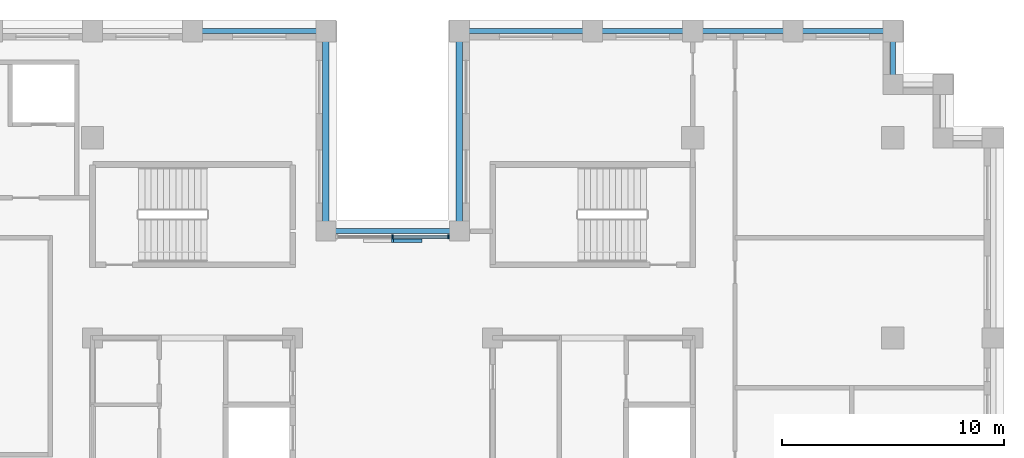
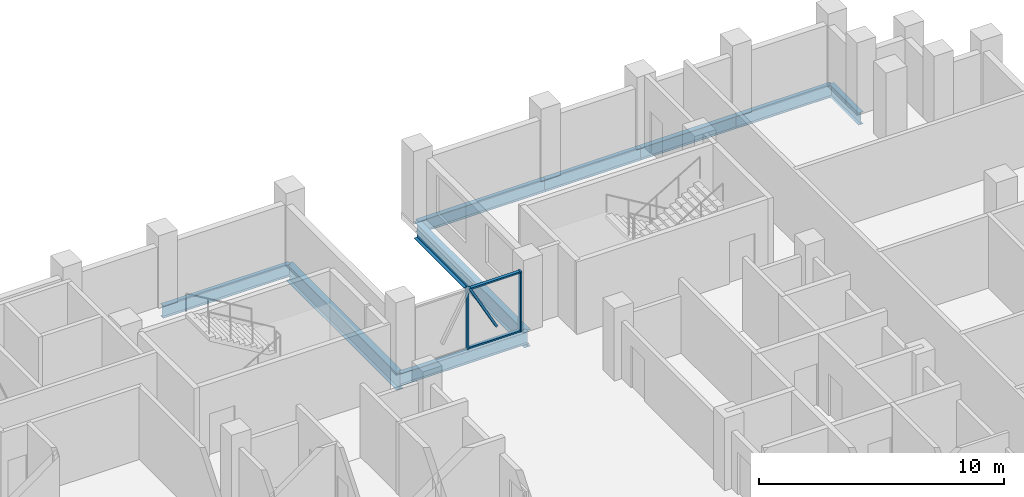
# One storey, part 4 of 15: 9 beams, 5 members, 1 element without a shape of its own.
"""IFC4 building model written with IfcOpenShell, lengths in metres."""

from ifc_helpers import new_model, si_unit, direction, frame, origin, origin_2d, place, context, subcontext, project, spatial, rectangle, i_section, extrude, material, layer, layer_set, material_profile, profile_set, type_object, element, aggregate, save


model = new_model("IFC4")

# Units and contexts
model_context = context("Model", 3, precision=1e-05, world=origin(), true_north=direction((0.0, 1.0)))
body_context = subcontext(model_context, "Body", "Model", "MODEL_VIEW")
ifc_project = project(units=[si_unit("LENGTHUNIT", "METRE"), si_unit("AREAUNIT", "SQUARE_METRE"), si_unit("VOLUMEUNIT", "CUBIC_METRE"), si_unit("PLANEANGLEUNIT", "RADIAN"), si_unit("MASSUNIT", "GRAM", prefix="KILO")], contexts=[model_context])

# Site, building, storey
site_placement = place(None, origin())
site = spatial("IfcSite", under=ifc_project, at=site_placement, CompositionType="ELEMENT")
building_placement = place(site_placement, origin())
building = spatial("IfcBuilding", under=site, at=building_placement, Name="Corbelhall Arena Tower", CompositionType="ELEMENT")
storey_placement = place(building_placement, frame((0.0, 0.0, 232.0)))
storey = spatial("IfcBuildingStorey", under=building, at=storey_placement, Name="L49", CompositionType="ELEMENT", Elevation=232.0)

# Curtain wall, members
ifc_material_1 = material(Name="Aluminium black anodised", Category="aluminium")
ifc_layer = layer(ifc_material_1, 0.199951171875)
ifc_layer_set = layer_set([ifc_layer], Name="EV-CW1 Slot back wall")
curtain_wall_type = type_object("IfcCurtainWallType", Name="EV-CW1 Slot back wall", PredefinedType="NOTDEFINED", material=ifc_layer_set)
curtain_wall_placement = place(storey_placement, origin())
curtain_wall = element("IfcCurtainWall", 1, at=curtain_wall_placement, inside=storey, type_object=curtain_wall_type, Name="Curtain wall CW1", PredefinedType="NOTDEFINED")
ifc_material_profile_1 = material_profile(ifc_material_1, rectangle(XDim=0.199951171875, YDim=0.074951171875, at=origin_2d()))
ifc_profile_set_1 = profile_set([ifc_material_profile_1], Name="Aluminium black anodised")
member_type_1 = type_object("IfcMemberType", Name="EV-CW1-MULLION", PredefinedType="MULLION", material=ifc_profile_set_1)
member_1_placement = place(storey_placement, frame((2.512451171875, 13.550048828125, 0.0), z_axis=(0.0, 0.0, 1.0), x_axis=(0.0, -1.0, 0.0)))
member_1 = element("IfcMember", 2, at=member_1_placement, type_object=member_type_1, Name="CW1 mullion 1", PredefinedType="MULLION", context=body_context, shape_type="SweptSolid", body=[
    extrude(rectangle(XDim=0.199951171875, YDim=0.074951171875, at=origin_2d()), origin(), (0.0, 0.0, 1.0), 2.99951171875),
])
member_2_placement = place(storey_placement, frame((0.0, 13.550048828125, 0.0), z_axis=(0.0, 0.0, 1.0), x_axis=(0.0, -1.0, 0.0)))
member_2 = element("IfcMember", 3, at=member_2_placement, type_object=member_type_1, Name="CW1 mullion 2", PredefinedType="MULLION", context=body_context, shape_type="SweptSolid", body=[
    extrude(rectangle(XDim=0.199951171875, YDim=0.074951171875, at=origin_2d()), origin(), (0.0, 0.0, 1.0), 2.99951171875),
])
ifc_material_profile_2 = material_profile(ifc_material_1, rectangle(XDim=0.14990234375, YDim=0.074951171875, at=origin_2d()))
ifc_profile_set_2 = profile_set([ifc_material_profile_2], Name="Aluminium black anodised")
member_type_2 = type_object("IfcMemberType", Name="EV-CW1-TRANSOM", PredefinedType="USERDEFINED", material=ifc_profile_set_2)
member_3_placement = place(storey_placement, frame((2.47509765625, 13.550048828125, 0.03759765625), z_axis=(-1.0, 0.0, 0.0), x_axis=(0.0, -1.0, 0.0)))
member_3 = element("IfcMember", 4, at=member_3_placement, type_object=member_type_2, Name="CW1 transom 1.1", ObjectType="transom", PredefinedType="USERDEFINED", context=body_context, shape_type="SweptSolid", body=[
    extrude(rectangle(XDim=0.14990234375, YDim=0.074951171875, at=origin_2d()), origin(), (0.0, 0.0, 1.0), 2.4375),
])
member_4_placement = place(storey_placement, frame((2.47509765625, 13.550048828125, 2.962158203125), z_axis=(-1.0, 0.0, 0.0), x_axis=(0.0, -1.0, 0.0)))
member_4 = element("IfcMember", 5, at=member_4_placement, type_object=member_type_2, Name="CW1 transom 1.2", ObjectType="transom", PredefinedType="USERDEFINED", context=body_context, shape_type="SweptSolid", body=[
    extrude(rectangle(XDim=0.14990234375, YDim=0.074951171875, at=origin_2d()), origin(), (0.0, 0.0, 1.0), 2.4375),
])
aggregate(curtain_wall, [member_1, member_2, member_3, member_4])

# Member
ifc_material_profile_3 = material_profile(ifc_material_1, rectangle(XDim=0.159912109375, YDim=0.10009765625, at=origin_2d()))
ifc_profile_set_3 = profile_set([ifc_material_profile_3], Name="Aluminium black anodised")
member_type_3 = type_object("IfcMemberType", Name="EV-TR1 Tracery bar", PredefinedType="USERDEFINED", material=ifc_profile_set_3)
member_5_placement = place(storey_placement, frame((1.27490234375, 13.3701171875, 0.807373046875), z_axis=(-0.478030960994, 0.0, 0.878342985588), x_axis=(0.0, -1.0, 0.0)))
element("IfcMember", 6, at=member_5_placement, inside=storey, type_object=member_type_3, Name="Tracery bar", ObjectType="TRACERY", PredefinedType="USERDEFINED", context=body_context, shape_type="SweptSolid", body=[
    extrude(rectangle(XDim=0.159912109375, YDim=0.10009765625, at=origin_2d()), origin(), (0.0, 0.0, 1.0), 2.6669921875),
])

# Beams
ifc_material_2 = material(Name="Steel ASTM A992 Gr50", Category="steel")
ifc_material_profile_4 = material_profile(ifc_material_2, i_section(OverallWidth=0.228271484375, OverallDepth=0.607177734375, WebThickness=0.01123046875, FlangeThickness=0.017333984375, at=origin_2d()))
ifc_profile_set_4 = profile_set([ifc_material_profile_4], Name="Steel ASTM A992 Gr50")
beam_type_1 = type_object("IfcBeamType", Name="ST-SPANDREL-W24x76", PredefinedType="SPANDREL", material=ifc_profile_set_4)
beam_1_placement = place(storey_placement, frame((3.0, 22.800048828125, -0.58349609375), z_axis=(1.0, 0.0, 0.0), x_axis=(0.0, 1.0, 0.0)))
element("IfcBeam", 7, at=beam_1_placement, inside=storey, type_object=beam_type_1, Name="Beam SP 13", PredefinedType="SPANDREL", context=body_context, shape_type="SweptSolid", body=[
    extrude(i_section(OverallWidth=0.228271484375, OverallDepth=0.607177734375, WebThickness=0.01123046875, FlangeThickness=0.017333984375, at=origin_2d()), origin(), (0.0, 0.0, 1.0), 6.0),
])
for number, where, z_axis, x_axis, name in (
    (8, (9.0, 22.800048828125, -0.58349609375), (1.0, 0.0, 0.0), (0.0, 1.0, 0.0), "Beam SP 14"),
    (9, (13.5, 22.800048828125, -0.58349609375), (1.0, 0.0, 0.0), (0.0, 1.0, 0.0), "Beam SP 15"),
    (10, (18.0, 22.800048828125, -0.58349609375), (1.0, 0.0, 0.0), (0.0, 1.0, 0.0), "Beam SP 16"),
):
    element("IfcBeam", number, at=place(storey_placement, frame(where, z_axis=z_axis, x_axis=x_axis)), inside=storey, type_object=beam_type_1, Name=name, PredefinedType="SPANDREL", context=body_context, shape_type="SweptSolid", body=[
        extrude(i_section(OverallWidth=0.228271484375, OverallDepth=0.607177734375, WebThickness=0.01123046875, FlangeThickness=0.017333984375, at=origin_2d()), origin(), (0.0, 0.0, 1.0), 4.5),
    ])
beam_2_placement = place(storey_placement, frame((22.5, 22.800048828125, -0.58349609375), z_axis=(0.0, -1.0, 0.0), x_axis=(1.0, 0.0, 0.0)))
element("IfcBeam", 11, at=beam_2_placement, inside=storey, type_object=beam_type_1, Name="Beam SP 17", PredefinedType="SPANDREL", context=body_context, shape_type="SweptSolid", body=[
    extrude(i_section(OverallWidth=0.228271484375, OverallDepth=0.607177734375, WebThickness=0.01123046875, FlangeThickness=0.017333984375, at=origin_2d()), origin(), (0.0, 0.0, 1.0), 2.400146484375),
])
for number, where, z_axis, x_axis, name in (
    (12, (-9.0, 22.800048828125, -0.58349609375), (1.0, 0.0, 0.0), (0.0, 1.0, 0.0), "Beam SP 19"),
    (13, (-3.0, 13.800048828125, -0.58349609375), (1.0, 0.0, 0.0), (0.0, 1.0, 0.0), "Beam SP 36"),
):
    element("IfcBeam", number, at=place(storey_placement, frame(where, z_axis=z_axis, x_axis=x_axis)), inside=storey, type_object=beam_type_1, Name=name, PredefinedType="SPANDREL", context=body_context, shape_type="SweptSolid", body=[
        extrude(i_section(OverallWidth=0.228271484375, OverallDepth=0.607177734375, WebThickness=0.01123046875, FlangeThickness=0.017333984375, at=origin_2d()), origin(), (0.0, 0.0, 1.0), 6.0),
    ])
ifc_material_profile_5 = material_profile(ifc_material_2, i_section(OverallWidth=0.2919921875, OverallDepth=0.845703125, WebThickness=0.015380859375, FlangeThickness=0.0244140625, at=origin_2d()))
ifc_profile_set_5 = profile_set([ifc_material_profile_5], Name="Steel ASTM A992 Gr50")
beam_type_2 = type_object("IfcBeamType", Name="ST-SPANDREL-W33x141", PredefinedType="SPANDREL", material=ifc_profile_set_5)
for number, where, z_axis, x_axis, name in (
    (14, (-3.0, 22.800048828125, -0.702880859375), (0.0, -1.0, 0.0), (1.0, 0.0, 0.0), "Beam SP 18"),
    (15, (3.0, 13.800048828125, -0.702880859375), (0.0, 1.0, 0.0), (-1.0, 0.0, 0.0), "Beam SP 35"),
):
    element("IfcBeam", number, at=place(storey_placement, frame(where, z_axis=z_axis, x_axis=x_axis)), inside=storey, type_object=beam_type_2, Name=name, PredefinedType="SPANDREL", context=body_context, shape_type="SweptSolid", body=[
        extrude(i_section(OverallWidth=0.2919921875, OverallDepth=0.845703125, WebThickness=0.015380859375, FlangeThickness=0.0244140625, at=origin_2d()), origin(), (0.0, 0.0, 1.0), 9.0),
    ])

save(model, "model.ifc")
